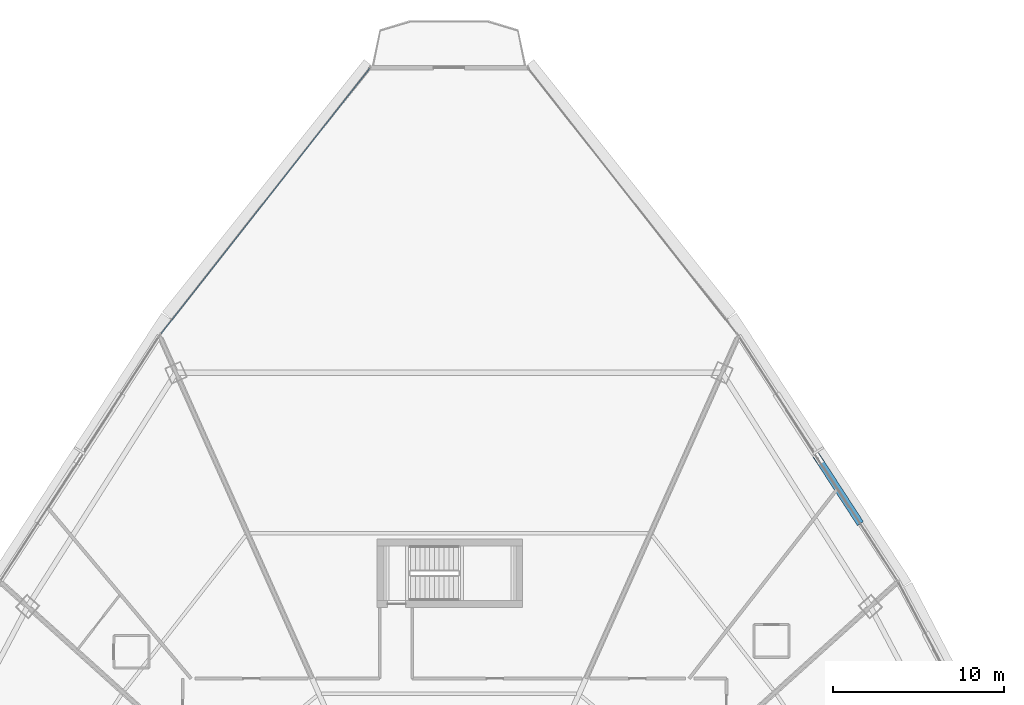
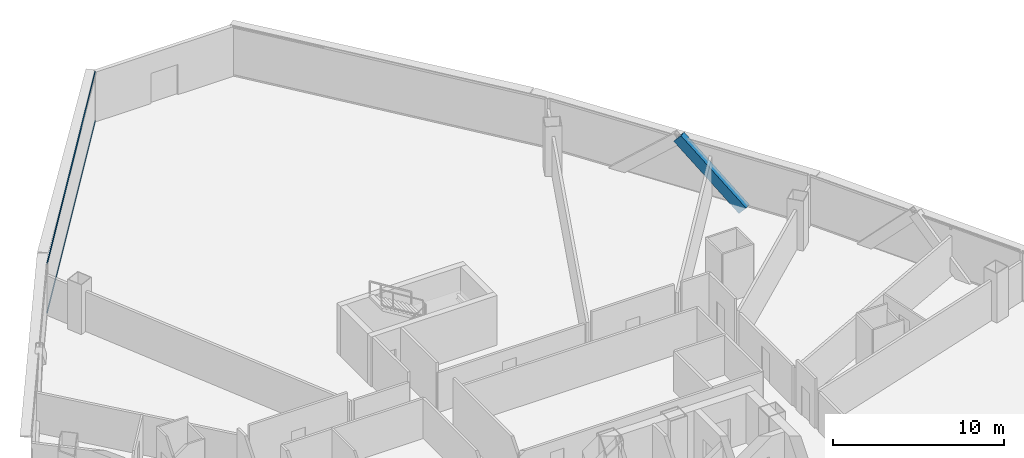
# One storey, part 25 of 37: 3 members, 1 element without a shape of its own.
"""IFC4 building model written with IfcOpenShell, lengths in metres."""

from ifc_helpers import new_model, si_unit, direction, frame, origin, origin_2d, place, context, subcontext, project, spatial, hollow_rectangle, extrude, source, transform, mapped, material, layer, layer_set, material_profile, profile_set, type_object, element, aggregate, save


model = new_model("IFC4")

# Units and contexts
model_context = context("Model", 3, precision=1e-05, world=origin(), true_north=direction((0.0, 1.0)))
body_context = subcontext(model_context, "Body", "Model", "MODEL_VIEW")
ifc_project = project(units=[si_unit("LENGTHUNIT", "METRE"), si_unit("AREAUNIT", "SQUARE_METRE"), si_unit("VOLUMEUNIT", "CUBIC_METRE"), si_unit("PLANEANGLEUNIT", "RADIAN"), si_unit("MASSUNIT", "GRAM", prefix="KILO"), si_unit("THERMODYNAMICTEMPERATUREUNIT", "KELVIN"), si_unit("POWERUNIT", "WATT")], contexts=[model_context])

# Site, building, storey
site_placement = place(None, origin())
site = spatial("IfcSite", under=ifc_project, at=site_placement, CompositionType="ELEMENT")
building_placement = place(site_placement, origin())
building = spatial("IfcBuilding", under=site, at=building_placement, Name="Yunzhuo Pagoda Commons", CompositionType="ELEMENT")
storey_placement = place(building_placement, frame((0.0, 0.0, 84.97998046875)))
storey = spatial("IfcBuildingStorey", under=building, at=storey_placement, Name="L21", CompositionType="ELEMENT", Elevation=84.97998046875)

# Member
ifc_material_1 = material(Name="Structural steel Q420B", Category="steel")
ifc_material_profile_1 = material_profile(ifc_material_1, hollow_rectangle(XDim=0.419921875, YDim=0.719970703125, WallThickness=0.028076171875, at=origin_2d()), Name="Structural steel Q420B")
ifc_profile_set_1 = profile_set([ifc_material_profile_1], Name="Structural steel Q420B")
member_type_1 = type_object("IfcMemberType", Name="M-DL1 Brace BOX 720x420x28", PredefinedType="BRACE", material=ifc_profile_set_1)
shared_shape_1 = source(origin(), body_context, "Body", "SweptSolid", [
    extrude(hollow_rectangle(XDim=0.419921875, YDim=0.719970703125, WallThickness=0.028076171875, at=origin_2d()), origin(), (0.0, 0.0, 1.0), 5.722900390625),
])
member_1_placement = place(storey_placement, frame((71.890869140625, 60.898193359375, -0.260009765625), z_axis=(-0.406940043079, 0.627239695291, 0.664055845535), x_axis=(-0.838911296143, -0.544268166627, 0.0)))
element("IfcMember", 1, at=member_1_placement, inside=storey, type_object=member_type_1, Name="L21 facade diamond brace F2.3L", PredefinedType="BRACE", context=body_context, shape_type="MappedRepresentation", body=[
    mapped(shared_shape_1, transform((0.0, 0.0, 0.0), scale=1.0)),
])

# Curtain wall, members
ifc_material_2 = material(Name="Anodized aluminium 6063-T6", Category="aluminium")
ifc_layer = layer(ifc_material_2, 0.1650390625)
ifc_layer_set = layer_set([ifc_layer], Name="Anodized aluminium 6063-T6")
curtain_wall_type = type_object("IfcCurtainWallType", Name="CW-LOW Low-Zone Ribbon Curtain Wall", PredefinedType="NOTDEFINED", material=ifc_layer_set)
curtain_wall_placement = place(storey_placement, origin())
curtain_wall = element("IfcCurtainWall", 2, at=curtain_wall_placement, inside=storey, type_object=curtain_wall_type, Name="L21 curtain wall CW-L21-F3B1", PredefinedType="NOTDEFINED")
ifc_material_profile_2 = material_profile(ifc_material_2, hollow_rectangle(XDim=0.06005859375, YDim=0.139892578125, WallThickness=0.00341796875, at=origin_2d()), Name="Anodized aluminium 6063-T6")
ifc_profile_set_2 = profile_set([ifc_material_profile_2], Name="Anodized aluminium 6063-T6")
member_type_2 = type_object("IfcMemberType", Name="CW-LOW-T Transom RHS 140x60x3.5", PredefinedType="USERDEFINED", material=ifc_profile_set_2)
shared_shape_2 = source(origin(), body_context, "Body", "SweptSolid", [
    extrude(hollow_rectangle(XDim=0.06005859375, YDim=0.139892578125, WallThickness=0.00341796875, at=origin_2d()), origin(), (0.0, 0.0, 1.0), 19.706298828125),
])
member_2_placement = place(storey_placement, frame((43.3623046875, 87.268798828125, 0.030029296875), z_axis=(-0.61806117369, -0.786130005519, 0.0), x_axis=(0.786130005519, -0.61806117369, 0.0)))
member_2 = element("IfcMember", 3, at=member_2_placement, type_object=member_type_2, Name="CW transom 1.1", ObjectType="TRANSOM", PredefinedType="USERDEFINED", context=body_context, shape_type="MappedRepresentation", body=[
    mapped(shared_shape_2, transform((0.0, 0.0, 0.0), scale=1.0)),
])
member_3_placement = place(storey_placement, frame((43.3623046875, 87.268798828125, 3.510009765625), z_axis=(-0.61806117369, -0.786130005519, 0.0), x_axis=(0.786130005519, -0.61806117369, 0.0)))
member_3 = element("IfcMember", 4, at=member_3_placement, type_object=member_type_2, Name="CW transom 1.2", ObjectType="TRANSOM", PredefinedType="USERDEFINED", context=body_context, shape_type="MappedRepresentation", body=[
    mapped(shared_shape_2, transform((0.0, 0.0, 0.0), scale=1.0)),
])
aggregate(curtain_wall, [member_2, member_3])

save(model, "model.ifc")
